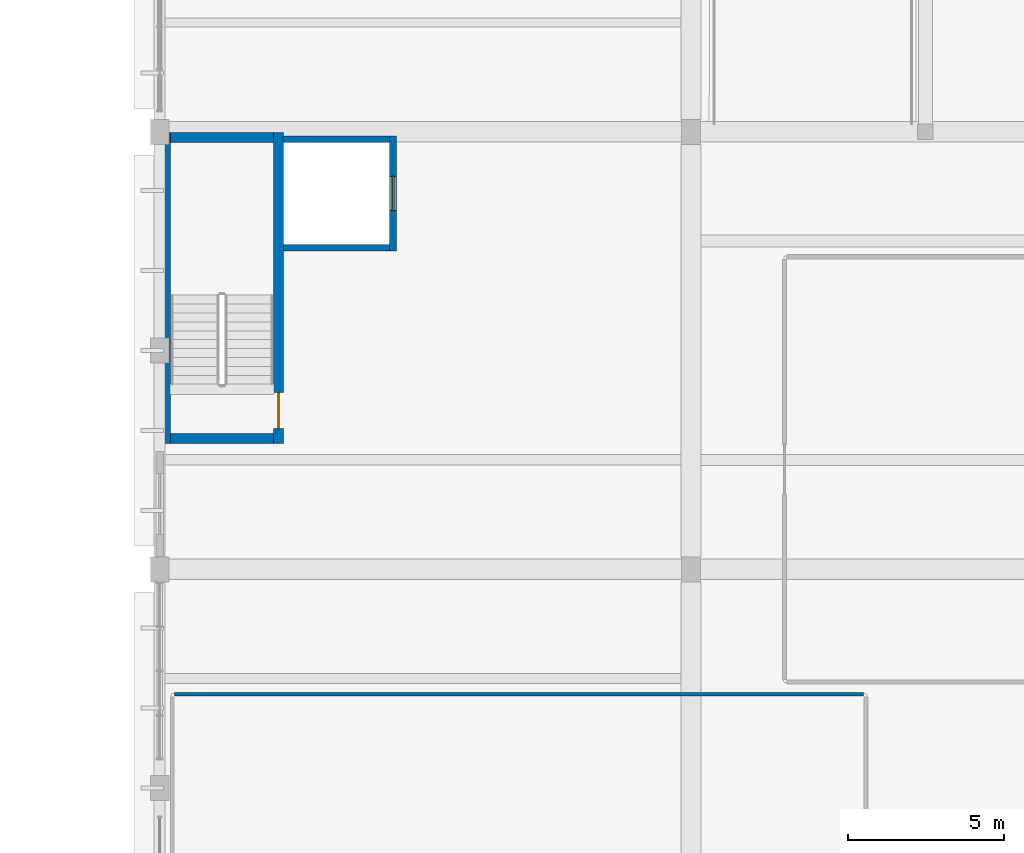
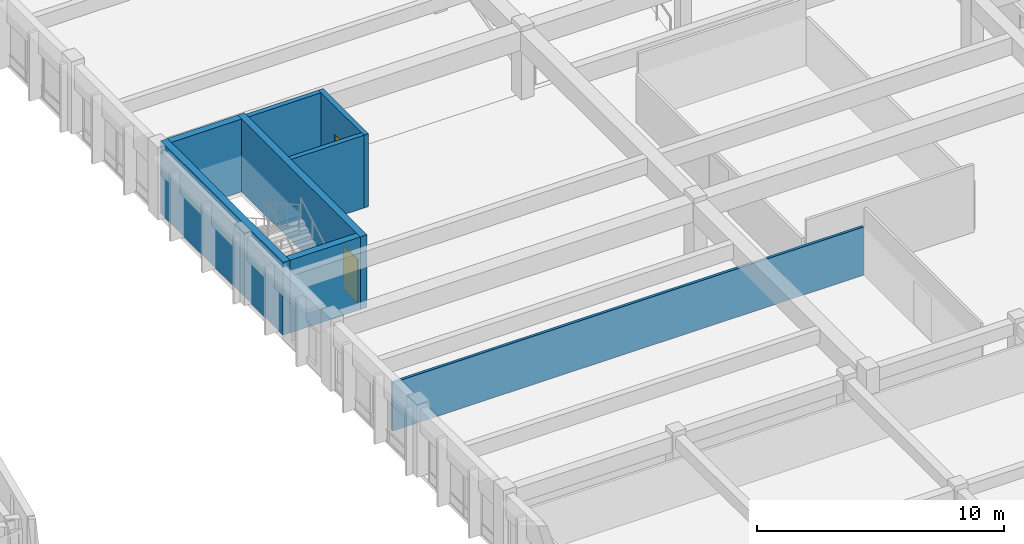
# One storey, part 113 of 155: 8 walls, 2 doors, 2 openings.
"""IFC4 building model written with IfcOpenShell, lengths in metres."""

from ifc_helpers import new_model, si_unit, direction, frame, frame_2d, origin, place, context, subcontext, project, spatial, rectangle, extrude, material, layer, layer_set, type_object, element, fill, save


model = new_model("IFC4")

# Units and contexts
model_context = context("Model", 3, precision=1e-05, world=origin(), true_north=direction((0.0, 1.0)))
body_context = subcontext(model_context, "Body", "Model", "MODEL_VIEW")
ifc_project = project(units=[si_unit("LENGTHUNIT", "METRE"), si_unit("AREAUNIT", "SQUARE_METRE"), si_unit("VOLUMEUNIT", "CUBIC_METRE"), si_unit("PLANEANGLEUNIT", "RADIAN"), si_unit("MASSUNIT", "GRAM", prefix="KILO")], contexts=[model_context])

# Site, building, storey
site_placement = place(None, origin())
site = spatial("IfcSite", under=ifc_project, at=site_placement, CompositionType="ELEMENT")
building_placement = place(site_placement, origin())
building = spatial("IfcBuilding", under=site, at=building_placement, Name="Larkveld Mobility Hub", CompositionType="ELEMENT")
storey_placement = place(building_placement, frame((0.0, 0.0, 8.39990234375)))
storey = spatial("IfcBuildingStorey", under=building, at=storey_placement, Name="L02", CompositionType="ELEMENT", Elevation=8.39990234375)

# Wall
ifc_material_1 = material(Name="Concrete blockwork masonry 14 MPa", Category="masonry")
ifc_layer_1 = layer(ifc_material_1, 0.1201171875, Name="Concrete blockwork masonry 14 MPa", Category="masonry")
ifc_layer_set_1 = layer_set([ifc_layer_1], Name="Concrete blockwork masonry 14 MPa")
wall_type_1 = type_object("IfcWallType", Name="WL-PRT-120", PredefinedType="PARTITIONING", material=ifc_layer_set_1)
wall_1_placement = place(storey_placement, frame((112.47998046875, 38.0, 0.0), z_axis=(0.0, 0.0, 1.0), x_axis=(1.0, 0.0, 0.0)))
element("IfcWall", 1, at=wall_1_placement, inside=storey, type_object=wall_type_1, Name="Regional Coach Passenger Lounge Partition 0123", PredefinedType="PARTITIONING", context=body_context, shape_type="SweptSolid", body=[
    extrude(rectangle(XDim=22.0400390625, YDim=0.1201171875, at=frame_2d((11.02001953125, 0.0))), origin(), (0.0, 0.0, 1.0), 2.39501953125),
])

# Wall, opening, door
ifc_material_2 = material(Name="Concrete C40/50", Category="concrete")
ifc_layer_2 = layer(ifc_material_2, 0.219970703125, Name="Concrete C40/50", Category="concrete")
ifc_layer_set_2 = layer_set([ifc_layer_2], Name="Concrete C40/50")
wall_type_2 = type_object("IfcWallType", Name="WL-SHF-220", PredefinedType="SHEAR", material=ifc_layer_set_2)
wall_2_placement = place(storey_placement, frame((119.469970703125, 55.8701171875, 0.0), z_axis=(0.0, 0.0, 1.0), x_axis=(0.0, -1.0, 0.0)))
wall_2 = element("IfcWall", 2, at=wall_2_placement, inside=storey, type_object=wall_type_2, Name="Lift PL2 Shaft Wall L02-E", PredefinedType="SHEAR", context=body_context, shape_type="SweptSolid", body=[
    extrude(rectangle(XDim=3.690185546875, YDim=0.219970703125, at=frame_2d((1.84521484375, 0.0))), origin(), (0.0, 0.0, 1.0), 3.60009765625),
])
opening_1_placement = place(wall_2_placement, frame((1.294921875, 0.0, 0.0)))
opening_1 = element("IfcOpeningElement", 3, at=opening_1_placement, cuts=wall_2, Name="Opening LD01", PredefinedType="OPENING", context=body_context, shape_type="SweptSolid", body=[
    extrude(rectangle(XDim=1.10009765625, YDim=2.199951171875, at=frame_2d((0.550048828125, 1.10009765625))), frame((0.0, 0.1201171875, 0.0), z_axis=(0.0, -1.0, 0.0), x_axis=(1.0, 0.0, 0.0)), (0.0, 0.0, 1.0), 0.239990234375),
])
ifc_material_3 = material(Name="Brushed stainless Steel S355JR sliding landing door", Category="steel")
door_type_1 = type_object("IfcDoorType", Name="DR-LD-110", OperationType="DOUBLE_DOOR_SLIDING", PredefinedType="DOOR", material=ifc_material_3)
door_1_placement = place(opening_1_placement, origin())
door_1 = element("IfcDoor", 4, at=door_1_placement, inside=storey, type_object=door_type_1, Name="Lift landing door PL2-L02", OperationType="DOUBLE_DOOR_SLIDING", OverallHeight=2.199951171875, OverallWidth=1.10009765625, PredefinedType="DOOR", context=body_context, shape_type="SweptSolid", body=[
    extrude(rectangle(XDim=1.10009765625, YDim=2.199951171875, at=frame_2d((0.550048828125, 1.10009765625))), frame((0.0, 0.02490234375, 0.0), z_axis=(0.0, -1.0, 0.0), x_axis=(1.0, 0.0, 0.0)), (0.0, 0.0, 1.0), 0.050048828125),
])
fill(opening_1, door_1)

# Walls
for number, where, z_axis, x_axis, name in (
    (5, (119.360107421875, 52.2900390625, 0.0), (0.0, 0.0, 1.0), (-1.0, 0.0, 0.0), "Lift PL2 Shaft Wall L02-S"),
    (6, (115.9599609375, 55.760009765625, 0.0), (0.0, 0.0, 1.0), (1.0, 0.0, 0.0), "Lift PL2 Shaft Wall L02-N"),
):
    element("IfcWall", number, at=place(storey_placement, frame(where, z_axis=z_axis, x_axis=x_axis)), inside=storey, type_object=wall_type_2, Name=name, PredefinedType="SHEAR", context=body_context, shape_type="SweptSolid", body=[
        extrude(rectangle(XDim=3.400146484375, YDim=0.219970703125, at=frame_2d((1.7001953125, 0.0))), origin(), (0.0, 0.0, 1.0), 3.60009765625),
    ])
ifc_layer_3 = layer(ifc_material_2, 0.320068359375, Name="Concrete C40/50", Category="concrete")
ifc_layer_set_3 = layer_set([ifc_layer_3], Name="Concrete C40/50")
wall_type_3 = type_object("IfcWallType", Name="WL-SHR-03", PredefinedType="SHEAR", material=ifc_layer_set_3)
wall_3_placement = place(storey_placement, frame((112.18994140625, 46.030029296875, 0.0), z_axis=(0.0, 0.0, 1.0), x_axis=(0.0, 1.0, 0.0)))
element("IfcWall", 7, at=wall_3_placement, inside=storey, type_object=wall_type_3, Name="Core C3 Stair Shear Wall L02-W", PredefinedType="SHEAR", context=body_context, shape_type="SweptSolid", body=[
    extrude(rectangle(XDim=9.93994140625, YDim=0.320068359375, at=frame_2d((4.969970703125, 0.0))), origin(), (0.0, 0.0, 1.0), 3.60009765625),
])

# Wall, opening, door
wall_4_placement = place(storey_placement, frame((115.800048828125, 55.969970703125, 0.0), z_axis=(0.0, 0.0, 1.0), x_axis=(0.0, -1.0, 0.0)))
wall_4 = element("IfcWall", 8, at=wall_4_placement, inside=storey, type_object=wall_type_3, Name="Core C3 Stair Shear Wall L02-E", PredefinedType="SHEAR", context=body_context, shape_type="SweptSolid", body=[
    extrude(rectangle(XDim=9.93994140625, YDim=0.320068359375, at=frame_2d((4.969970703125, 0.0))), origin(), (0.0, 0.0, 1.0), 3.60009765625),
])
opening_2_placement = place(wall_4_placement, frame((8.320068359375, 0.0, 0.0)))
opening_2 = element("IfcOpeningElement", 9, at=opening_2_placement, cuts=wall_4, Name="Opening DF01", PredefinedType="OPENING", context=body_context, shape_type="SweptSolid", body=[
    extrude(rectangle(XDim=1.14990234375, YDim=2.14990234375, at=frame_2d((0.574951171875, 1.074951171875))), frame((0.0, 0.169921875, 0.0), z_axis=(0.0, -1.0, 0.0), x_axis=(1.0, 0.0, 0.0)), (0.0, 0.0, 1.0), 0.340087890625),
])
ifc_material_4 = material(Name="Pressed Steel S355JR fire door assembly", Category="steel")
door_type_2 = type_object("IfcDoorType", Name="DR-FD120", OperationType="NOTDEFINED", PredefinedType="DOOR", material=ifc_material_4)
door_2_placement = place(opening_2_placement, origin())
door_2 = element("IfcDoor", 10, at=door_2_placement, inside=storey, type_object=door_type_2, Name="Stair ST3 Fire Door L02", OperationType="SINGLE_SWING_RIGHT", OverallHeight=2.14990234375, OverallWidth=1.14990234375, PredefinedType="DOOR", context=body_context, shape_type="SweptSolid", body=[
    extrude(rectangle(XDim=1.14990234375, YDim=2.14990234375, at=frame_2d((0.574951171875, 1.074951171875))), frame((0.0, 0.02490234375, 0.0), z_axis=(0.0, -1.0, 0.0), x_axis=(1.0, 0.0, 0.0)), (0.0, 0.0, 1.0), 0.050048828125),
])
fill(opening_2, door_2)

# Walls
for number, where, z_axis, x_axis, name in (
    (11, (115.639892578125, 46.18994140625, 0.0), (0.0, 0.0, 1.0), (-1.0, 0.0, 0.0), "Core C3 Stair Shear Wall L02-S"),
    (12, (112.35009765625, 55.81005859375, 0.0), (0.0, 0.0, 1.0), (1.0, 0.0, 0.0), "Core C3 Stair Shear Wall L02-N"),
):
    element("IfcWall", number, at=place(storey_placement, frame(where, z_axis=z_axis, x_axis=x_axis)), inside=storey, type_object=wall_type_3, Name=name, PredefinedType="SHEAR", context=body_context, shape_type="SweptSolid", body=[
        extrude(rectangle(XDim=3.289794921875, YDim=0.320068359375, at=frame_2d((1.64501953125, 0.0))), origin(), (0.0, 0.0, 1.0), 3.60009765625),
    ])

save(model, "model.ifc")
